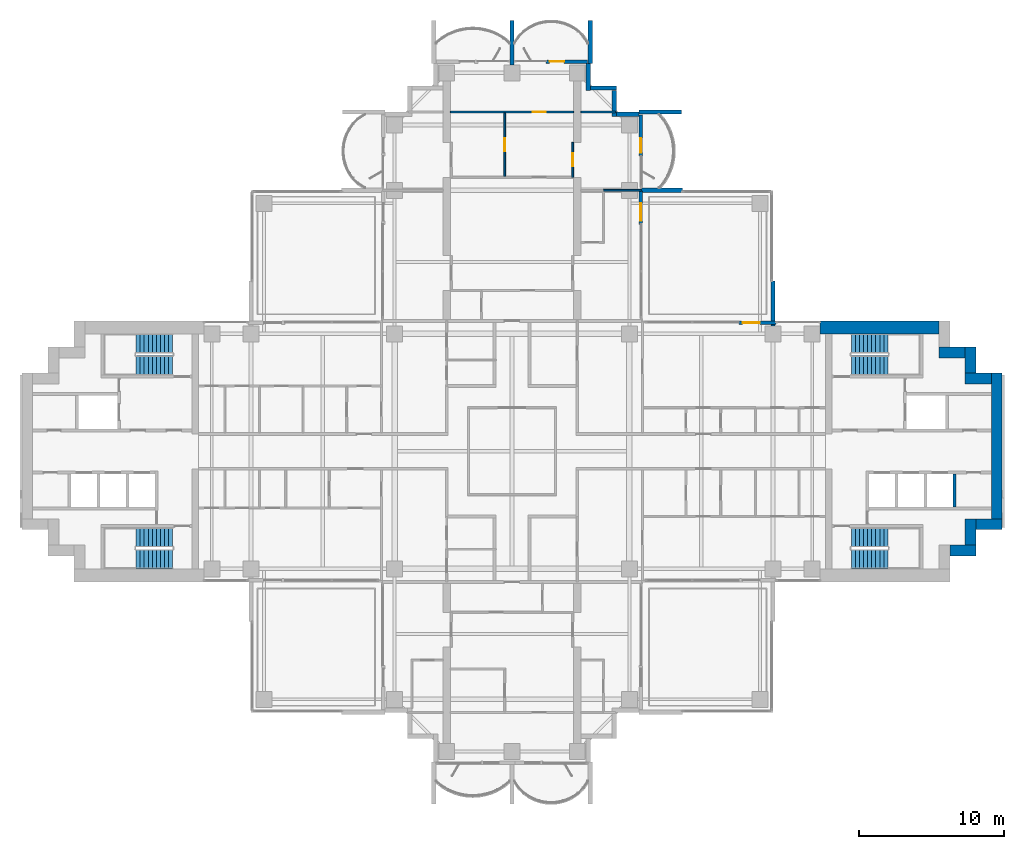
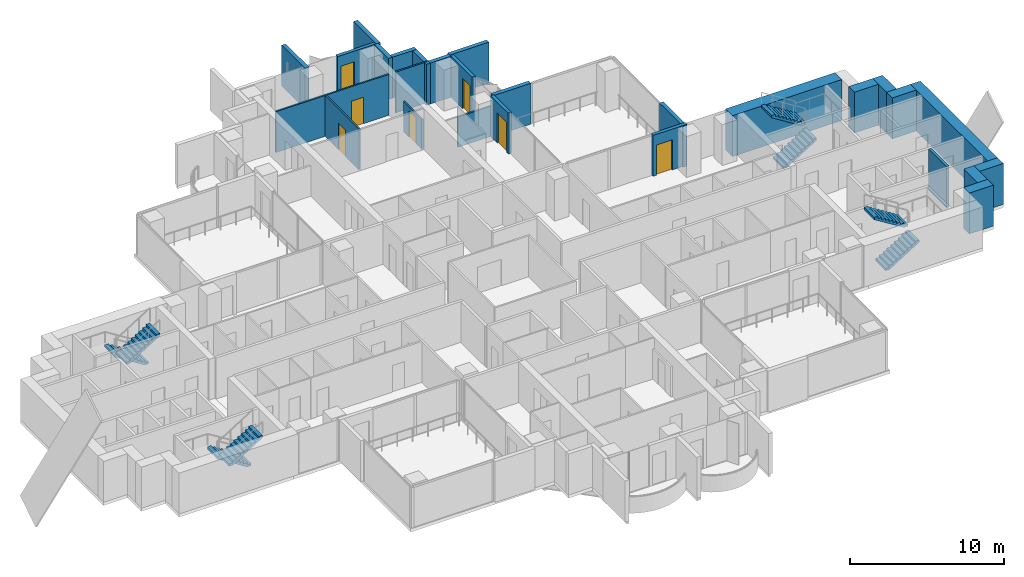
# One storey, part 14 of 18: 27 walls, 8 stair flights, 7 doors, 7 openings, 4 elements without a shape of their own.
"""IFC4 building model written with IfcOpenShell, lengths in metres."""

from ifc_helpers import new_model, si_unit, direction, frame, frame_2d, origin, place, context, subcontext, project, spatial, polyline, rectangle, outline, extrude, material, layer, layer_set, type_object, element, fill, aggregate, save


model = new_model("IFC4")

# Units and contexts
model_context = context("Model", 3, precision=1e-05, world=origin(), true_north=direction((0.0, 1.0)))
body_context = subcontext(model_context, "Body", "Model", "MODEL_VIEW")
ifc_project = project(units=[si_unit("LENGTHUNIT", "METRE"), si_unit("AREAUNIT", "SQUARE_METRE"), si_unit("VOLUMEUNIT", "CUBIC_METRE"), si_unit("PLANEANGLEUNIT", "RADIAN"), si_unit("MASSUNIT", "GRAM", prefix="KILO")], contexts=[model_context])

# Site, building, storey
site_placement = place(None, origin())
site = spatial("IfcSite", under=ifc_project, at=site_placement, CompositionType="ELEMENT")
building_placement = place(site_placement, origin())
building = spatial("IfcBuilding", under=site, at=building_placement, Name="Perihelion Cross Residences", CompositionType="ELEMENT")
storey_placement = place(building_placement, frame((0.0, 0.0, 133.89990234375)))
storey = spatial("IfcBuildingStorey", under=building, at=storey_placement, Name="L32", CompositionType="ELEMENT", Elevation=133.89990234375)

# Wall, opening, door
ifc_material_1 = material(Name="Concrete C30/37, bronze-clad", Category="concrete")
ifc_layer_1 = layer(ifc_material_1, 0.25)
ifc_layer_set_1 = layer_set([ifc_layer_1], Name="Bronze-clad pier wall 250")
wall_type_1 = type_object("IfcWallType", Name="Bronze-clad pier wall 250", PredefinedType="SOLIDWALL", material=ifc_layer_set_1)
wall_1_placement = place(storey_placement, frame((18.199951171875, 8.875, 0.0), z_axis=(0.0, 0.0, 1.0), x_axis=(-1.0, 0.0, 0.0)))
wall_1 = element("IfcWall", 1, at=wall_1_placement, inside=storey, type_object=wall_type_1, Name="Wall FW1 L32 east side north bay 2 pier", PredefinedType="SOLIDWALL", context=body_context, shape_type="SweptSolid", body=[
    extrude(rectangle(XDim=2.550048828125, YDim=0.25, at=frame_2d((1.27490234375, 0.0))), origin(), (0.0, 0.0, 1.0), 3.25),
])
opening_1_placement = place(wall_1_placement, frame((1.10009765625, 0.0, 0.0)))
opening_1 = element("IfcOpeningElement", 2, at=opening_1_placement, cuts=wall_1, Name="Opening L32.E01", PredefinedType="OPENING", context=body_context, shape_type="SweptSolid", body=[
    extrude(rectangle(XDim=1.199951171875, YDim=2.39990234375, at=frame_2d((0.60009765625, 1.199951171875))), frame((0.0, 0.135009765625, 0.0), z_axis=(0.0, -1.0, 0.0), x_axis=(1.0, 0.0, 0.0)), (0.0, 0.0, 1.0), 0.27001953125),
])
ifc_material_2 = material(Name="Bronze anodised aluminium, glazed", Category="aluminium")
door_type_1 = type_object("IfcDoorType", Name="Balcony door 1200 x 2400", OperationType="NOTDEFINED", PredefinedType="DOOR", material=ifc_material_2)
door_1_placement = place(opening_1_placement, origin())
door_1 = element("IfcDoor", 3, at=door_1_placement, inside=storey, type_object=door_type_1, Name="Door L32.E01 east side north bay 2", OperationType="SINGLE_SWING_RIGHT", OverallHeight=2.39990234375, OverallWidth=1.199951171875, PredefinedType="DOOR", context=body_context, shape_type="SweptSolid", body=[
    extrude(rectangle(XDim=1.199951171875, YDim=2.39990234375, at=frame_2d((0.60009765625, 1.199951171875))), frame((0.0, 0.02490234375, 0.0), z_axis=(0.0, -1.0, 0.0), x_axis=(1.0, 0.0, 0.0)), (0.0, 0.0, 1.0), 0.050048828125),
])
fill(opening_1, door_1)

wall_2_placement = place(storey_placement, frame((8.875, 15.64990234375, 0.0), z_axis=(0.0, 0.0, 1.0), x_axis=(0.0, 1.0, 0.0)))
wall_2 = element("IfcWall", 4, at=wall_2_placement, inside=storey, type_object=wall_type_1, Name="Wall FW1 L32 north side east bay 1 pier", PredefinedType="SOLIDWALL", context=body_context, shape_type="SweptSolid", body=[
    extrude(rectangle(XDim=2.2900390625, YDim=0.25, at=frame_2d((1.14501953125, 0.0))), origin(), (0.0, 0.0, 1.0), 3.25),
])
opening_2_placement = place(wall_2_placement, frame((0.25, 0.0, 0.0)))
opening_2 = element("IfcOpeningElement", 5, at=opening_2_placement, cuts=wall_2, Name="Opening L32.E02", PredefinedType="OPENING", context=body_context, shape_type="SweptSolid", body=[
    extrude(rectangle(XDim=1.199951171875, YDim=2.39990234375, at=frame_2d((0.60009765625, 1.199951171875))), frame((0.0, 0.135009765625, 0.0), z_axis=(0.0, -1.0, 0.0), x_axis=(1.0, 0.0, 0.0)), (0.0, 0.0, 1.0), 0.27001953125),
])
door_2_placement = place(opening_2_placement, origin())
door_2 = element("IfcDoor", 6, at=door_2_placement, inside=storey, type_object=door_type_1, Name="Door L32.E02 north side east bay 1", OperationType="SINGLE_SWING_LEFT", OverallHeight=2.39990234375, OverallWidth=1.199951171875, PredefinedType="DOOR", context=body_context, shape_type="SweptSolid", body=[
    extrude(rectangle(XDim=1.199951171875, YDim=2.39990234375, at=frame_2d((0.60009765625, 1.199951171875))), frame((0.0, 0.02490234375, 0.0), z_axis=(0.0, -1.0, 0.0), x_axis=(1.0, 0.0, 0.0)), (0.0, 0.0, 1.0), 0.050048828125),
])
fill(opening_2, door_2)

wall_3_placement = place(storey_placement, frame((8.875, 20.35009765625, 0.0), z_axis=(0.0, 0.0, 1.0), x_axis=(0.0, 1.0, 0.0)))
wall_3 = element("IfcWall", 7, at=wall_3_placement, inside=storey, type_object=wall_type_1, Name="Wall FW1 L32 north side east bay 2 pier", PredefinedType="SOLIDWALL", context=body_context, shape_type="SweptSolid", body=[
    extrude(rectangle(XDim=2.849853515625, YDim=0.25, at=frame_2d((1.4248046875, 0.0))), origin(), (0.0, 0.0, 1.0), 3.25),
])
opening_3_placement = place(wall_3_placement, frame((0.25, 0.0, 0.0)))
opening_3 = element("IfcOpeningElement", 8, at=opening_3_placement, cuts=wall_3, Name="Opening L32.E03", PredefinedType="OPENING", context=body_context, shape_type="SweptSolid", body=[
    extrude(rectangle(XDim=1.0, YDim=2.39990234375, at=frame_2d((0.5, 1.199951171875))), frame((0.0, 0.135009765625, 0.0), z_axis=(0.0, -1.0, 0.0), x_axis=(1.0, 0.0, 0.0)), (0.0, 0.0, 1.0), 0.27001953125),
])
ifc_material_3 = material(Name="Bronze anodised aluminium, glazed", Category="aluminium")
door_type_2 = type_object("IfcDoorType", Name="Balcony door 1000 x 2400", OperationType="NOTDEFINED", PredefinedType="DOOR", material=ifc_material_3)
door_3_placement = place(opening_3_placement, origin())
door_3 = element("IfcDoor", 9, at=door_3_placement, inside=storey, type_object=door_type_2, Name="Door L32.E03 north side east bay 2", OperationType="SINGLE_SWING_RIGHT", OverallHeight=2.39990234375, OverallWidth=1.0, PredefinedType="DOOR", context=body_context, shape_type="SweptSolid", body=[
    extrude(rectangle(XDim=1.0, YDim=2.39990234375, at=frame_2d((0.5, 1.199951171875))), frame((0.0, 0.02490234375, 0.0), z_axis=(0.0, -1.0, 0.0), x_axis=(1.0, 0.0, 0.0)), (0.0, 0.0, 1.0), 0.050048828125),
])
fill(opening_3, door_3)

wall_4_placement = place(storey_placement, frame((5.199951171875, 26.875, 0.0), z_axis=(0.0, 0.0, 1.0), x_axis=(-1.0, 0.0, 0.0)))
wall_4 = element("IfcWall", 10, at=wall_4_placement, inside=storey, type_object=wall_type_1, Name="Wall FW1 L32 north tip north bay 1 pier", PredefinedType="SOLIDWALL", context=body_context, shape_type="SweptSolid", body=[
    extrude(rectangle(XDim=2.849853515625, YDim=0.25, at=frame_2d((1.4248046875, 0.0))), origin(), (0.0, 0.0, 1.0), 3.25),
])
opening_4_placement = place(wall_4_placement, frame((1.60009765625, 0.0, 0.0)))
opening_4 = element("IfcOpeningElement", 11, at=opening_4_placement, cuts=wall_4, Name="Opening L32.E04", PredefinedType="OPENING", context=body_context, shape_type="SweptSolid", body=[
    extrude(rectangle(XDim=1.0, YDim=2.39990234375, at=frame_2d((0.5, 1.199951171875))), frame((0.0, 0.135009765625, 0.0), z_axis=(0.0, -1.0, 0.0), x_axis=(1.0, 0.0, 0.0)), (0.0, 0.0, 1.0), 0.27001953125),
])
door_4_placement = place(opening_4_placement, origin())
door_4 = element("IfcDoor", 12, at=door_4_placement, inside=storey, type_object=door_type_2, Name="Door L32.E04 north tip north bay 1", OperationType="SINGLE_SWING_LEFT", OverallHeight=2.39990234375, OverallWidth=1.0, PredefinedType="DOOR", context=body_context, shape_type="SweptSolid", body=[
    extrude(rectangle(XDim=1.0, YDim=2.39990234375, at=frame_2d((0.5, 1.199951171875))), frame((0.0, 0.02490234375, 0.0), z_axis=(0.0, -1.0, 0.0), x_axis=(1.0, 0.0, 0.0)), (0.0, 0.0, 1.0), 0.050048828125),
])
fill(opening_4, door_4)

# Walls
ifc_material_4 = material(Name="Concrete C30/37, bronze-clad", Category="concrete")
ifc_layer_2 = layer(ifc_material_4, 0.300048828125)
ifc_layer_set_2 = layer_set([ifc_layer_2], Name="Bronze-clad serration wall 300")
wall_type_2 = type_object("IfcWallType", Name="Bronze-clad serration wall 300", PredefinedType="SOLIDWALL", material=ifc_layer_set_2)
wall_5_placement = place(storey_placement, frame((8.75, 23.25, 0.0), z_axis=(0.0, 0.0, 1.0), x_axis=(-1.0, 0.0, 0.0)))
element("IfcWall", 13, at=wall_5_placement, inside=storey, type_object=wall_type_2, Name="Wall SR1 L32 north corner north-east 1", PredefinedType="SOLIDWALL", context=body_context, shape_type="SweptSolid", body=[
    extrude(rectangle(XDim=1.550048828125, YDim=0.300048828125, at=frame_2d((0.77490234375, 0.0))), origin(), (0.0, 0.0, 1.0), 3.25),
])
wall_6_placement = place(storey_placement, frame((7.050048828125, 23.10009765625, 0.0), z_axis=(0.0, 0.0, 1.0), x_axis=(0.0, 1.0, 0.0)))
element("IfcWall", 14, at=wall_6_placement, inside=storey, type_object=wall_type_2, Name="Wall SR1 L32 north corner north-east 2", PredefinedType="SOLIDWALL", context=body_context, shape_type="SweptSolid", body=[
    extrude(rectangle(XDim=1.7998046875, YDim=0.300048828125, at=frame_2d((0.89990234375, 0.0))), origin(), (0.0, 0.0, 1.0), 3.25),
])
wall_7_placement = place(storey_placement, frame((7.199951171875, 25.050048828125, 0.0), z_axis=(0.0, 0.0, 1.0), x_axis=(-1.0, 0.0, 0.0)))
element("IfcWall", 15, at=wall_7_placement, inside=storey, type_object=wall_type_2, Name="Wall SR1 L32 north corner north-east 3", PredefinedType="SOLIDWALL", context=body_context, shape_type="SweptSolid", body=[
    extrude(rectangle(XDim=1.800048828125, YDim=0.300048828125, at=frame_2d((0.89990234375, 0.0))), origin(), (0.0, 0.0, 1.0), 3.25),
])
wall_8_placement = place(storey_placement, frame((5.25, 24.89990234375, 0.0), z_axis=(0.0, 0.0, 1.0), x_axis=(0.0, 1.0, 0.0)))
element("IfcWall", 16, at=wall_8_placement, inside=storey, type_object=wall_type_2, Name="Wall SR1 L32 north corner north-east 4", PredefinedType="SOLIDWALL", context=body_context, shape_type="SweptSolid", body=[
    extrude(rectangle(XDim=1.85009765625, YDim=0.300048828125, at=frame_2d((0.925048828125, 0.0))), origin(), (0.0, 0.0, 1.0), 3.25),
])
ifc_material_5 = material(Name="Concrete C60/75", Category="concrete")
ifc_layer_3 = layer(ifc_material_5, 0.75)
ifc_layer_set_3 = layer_set([ifc_layer_3], Name="Core wall, outer 750")
wall_type_3 = type_object("IfcWallType", Name="Core wall, outer 750", PredefinedType="SHEAR", material=ifc_layer_set_3)
for number, where, z_axis, x_axis, name in (
    (17, (30.199951171875, -6.824951171875, 0.0), (0.0, 0.0, 1.0), (1.0, 0.0, 0.0), "East core core wall, outer"),
    (18, (31.625, -6.449951171875, 0.0), (0.0, 0.0, 1.0), (0.0, 1.0, 0.0), "East core core wall, outer"),
    (19, (32.0, -5.02490234375, 0.0), (0.0, 0.0, 1.0), (1.0, 0.0, 0.0), "East core core wall, outer"),
):
    element("IfcWall", number, at=place(storey_placement, frame(where, z_axis=z_axis, x_axis=x_axis)), inside=storey, type_object=wall_type_3, Name=name, PredefinedType="SHEAR", context=body_context, shape_type="SweptSolid", body=[
        extrude(rectangle(XDim=1.800048828125, YDim=0.75, at=frame_2d((0.89990234375, 0.0))), origin(), (0.0, 0.0, 1.0), 3.25),
    ])
wall_9_placement = place(storey_placement, frame((33.425048828125, -4.64990234375, 0.0), z_axis=(0.0, 0.0, 1.0), x_axis=(0.0, 1.0, 0.0)))
element("IfcWall", 20, at=wall_9_placement, inside=storey, type_object=wall_type_3, Name="East core core wall, outer", PredefinedType="SHEAR", context=body_context, shape_type="SweptSolid", body=[
    extrude(rectangle(XDim=10.0498046875, YDim=0.75, at=frame_2d((5.02490234375, 0.0))), origin(), (0.0, 0.0, 1.0), 3.25),
])
for number, where, z_axis, x_axis, name in (
    (21, (31.25, 5.02490234375, 0.0), (0.0, 0.0, 1.0), (1.0, 0.0, 0.0), "East core core wall, outer"),
    (22, (31.625, 5.39990234375, 0.0), (0.0, 0.0, 1.0), (0.0, 1.0, 0.0), "East core core wall, outer"),
    (23, (29.449951171875, 6.824951171875, 0.0), (0.0, 0.0, 1.0), (1.0, 0.0, 0.0), "East core core wall, outer"),
):
    element("IfcWall", number, at=place(storey_placement, frame(where, z_axis=z_axis, x_axis=x_axis)), inside=storey, type_object=wall_type_3, Name=name, PredefinedType="SHEAR", context=body_context, shape_type="SweptSolid", body=[
        extrude(rectangle(XDim=1.800048828125, YDim=0.75, at=frame_2d((0.89990234375, 0.0))), origin(), (0.0, 0.0, 1.0), 3.25),
    ])
ifc_material_6 = material(Name="Concrete C60/75", Category="concrete")
ifc_layer_4 = layer(ifc_material_6, 0.89990234375)
ifc_layer_set_4 = layer_set([ifc_layer_4], Name="Core wall, outer 900")
wall_type_4 = type_object("IfcWallType", Name="Core wall, outer 900", PredefinedType="SHEAR", material=ifc_layer_set_4)
wall_10_placement = place(storey_placement, frame((21.25, 8.550048828125, 0.0), z_axis=(0.0, 0.0, 1.0), x_axis=(1.0, 0.0, 0.0)))
element("IfcWall", 24, at=wall_10_placement, inside=storey, type_object=wall_type_4, Name="East core core wall, outer", PredefinedType="SHEAR", context=body_context, shape_type="SweptSolid", body=[
    extrude(rectangle(XDim=8.199951171875, YDim=0.89990234375, at=frame_2d((4.10009765625, 0.0))), origin(), (0.0, 0.0, 1.0), 3.25),
])

# Wall, opening, door
ifc_material_7 = material(Name="Plasterboard partition")
ifc_layer_5 = layer(ifc_material_7, 0.1201171875)
ifc_layer_set_5 = layer_set([ifc_layer_5], Name="Infill panel 120")
wall_type_5 = type_object("IfcWallType", Name="Infill panel 120", PredefinedType="PARTITIONING", material=ifc_layer_set_5)
wall_11_placement = place(storey_placement, frame((4.18994140625, 18.89990234375, 0.0), z_axis=(0.0, 0.0, 1.0), x_axis=(0.0, 1.0, 0.0)))
wall_11 = element("IfcWall", 25, at=wall_11_placement, inside=storey, type_object=wall_type_5, Name="Partition L32 WI02", PredefinedType="PARTITIONING", context=body_context, shape_type="SweptSolid", body=[
    extrude(rectangle(XDim=2.400146484375, YDim=0.1201171875, at=frame_2d((1.2001953125, 0.0))), origin(), (0.0, 0.0, 1.0), 2.400146484375),
])
opening_5_placement = place(wall_11_placement, frame((0.75, 0.0, 0.0)))
opening_5 = element("IfcOpeningElement", 26, at=opening_5_placement, cuts=wall_11, Name="Opening L32.A51", PredefinedType="OPENING", context=body_context, shape_type="SweptSolid", body=[
    extrude(rectangle(XDim=0.89990234375, YDim=2.10009765625, at=frame_2d((0.449951171875, 1.050048828125))), frame((0.0, 0.070068359375, 0.0), z_axis=(0.0, -1.0, 0.0), x_axis=(1.0, 0.0, 0.0)), (0.0, 0.0, 1.0), 0.14013671875),
])
ifc_material_8 = material(Name="Timber door leaf", Category="wood")
door_type_3 = type_object("IfcDoorType", Name="Interior room door 900 x 2100", OperationType="SINGLE_SWING_LEFT", PredefinedType="DOOR", material=ifc_material_8)
door_5_placement = place(opening_5_placement, origin())
door_5 = element("IfcDoor", 27, at=door_5_placement, inside=storey, type_object=door_type_3, Name="Door L32.A51", OperationType="SINGLE_SWING_LEFT", OverallHeight=2.10009765625, OverallWidth=0.89990234375, PredefinedType="DOOR", context=body_context, shape_type="SweptSolid", body=[
    extrude(rectangle(XDim=0.89990234375, YDim=2.10009765625, at=frame_2d((0.449951171875, 1.050048828125))), frame((0.0, 0.02490234375, 0.0), z_axis=(0.0, -1.0, 0.0), x_axis=(1.0, 0.0, 0.0)), (0.0, 0.0, 1.0), 0.050048828125),
])
fill(opening_5, door_5)

ifc_material_9 = material(Name="Plasterboard partition")
ifc_layer_6 = layer(ifc_material_9, 0.1201171875)
ifc_layer_set_6 = layer_set([ifc_layer_6], Name="Partition wall 120")
wall_type_6 = type_object("IfcWallType", Name="Partition wall 120", PredefinedType="PARTITIONING", material=ifc_layer_set_6)
wall_12_placement = place(storey_placement, frame((-0.5, 18.9599609375, 0.0), z_axis=(0.0, 0.0, 1.0), x_axis=(0.0, 1.0, 0.0)))
wall_12 = element("IfcWall", 28, at=wall_12_placement, inside=storey, type_object=wall_type_6, Name="Partition L32 W068", PredefinedType="PARTITIONING", context=body_context, shape_type="SweptSolid", body=[
    extrude(rectangle(XDim=4.380126953125, YDim=0.1201171875, at=frame_2d((2.18994140625, 0.0))), origin(), (0.0, 0.0, 1.0), 3.25),
])
opening_6_placement = place(wall_12_placement, frame((1.739990234375, 0.0, 0.0)))
opening_6 = element("IfcOpeningElement", 29, at=opening_6_placement, cuts=wall_12, Name="Opening L32.A36", PredefinedType="OPENING", context=body_context, shape_type="SweptSolid", body=[
    extrude(rectangle(XDim=0.89990234375, YDim=2.10009765625, at=frame_2d((0.449951171875, 1.050048828125))), frame((0.0, 0.070068359375, 0.0), z_axis=(0.0, -1.0, 0.0), x_axis=(1.0, 0.0, 0.0)), (0.0, 0.0, 1.0), 0.14013671875),
])
door_6_placement = place(opening_6_placement, origin())
door_6 = element("IfcDoor", 30, at=door_6_placement, inside=storey, type_object=door_type_3, Name="Door L32.A36", OperationType="SINGLE_SWING_RIGHT", OverallHeight=2.10009765625, OverallWidth=0.89990234375, PredefinedType="DOOR", context=body_context, shape_type="SweptSolid", body=[
    extrude(rectangle(XDim=0.89990234375, YDim=2.10009765625, at=frame_2d((0.449951171875, 1.050048828125))), frame((0.0, 0.02490234375, 0.0), z_axis=(0.0, -1.0, 0.0), x_axis=(1.0, 0.0, 0.0)), (0.0, 0.0, 1.0), 0.050048828125),
])
fill(opening_6, door_6)

wall_13_placement = place(storey_placement, frame((-4.25, 23.39990234375, 0.0), z_axis=(0.0, 0.0, 1.0), x_axis=(1.0, 0.0, 0.0)))
wall_13 = element("IfcWall", 31, at=wall_13_placement, inside=storey, type_object=wall_type_6, Name="Partition L32 W069", PredefinedType="PARTITIONING", context=body_context, shape_type="SweptSolid", body=[
    extrude(rectangle(XDim=8.5, YDim=0.1201171875, at=frame_2d((4.25, 0.0))), origin(), (0.0, 0.0, 1.0), 3.25),
])
opening_7_placement = place(wall_13_placement, frame((5.675048828125, 0.0, 0.0)))
opening_7 = element("IfcOpeningElement", 32, at=opening_7_placement, cuts=wall_13, Name="Opening L32.A37", PredefinedType="OPENING", context=body_context, shape_type="SweptSolid", body=[
    extrude(rectangle(XDim=0.89990234375, YDim=2.10009765625, at=frame_2d((0.449951171875, 1.050048828125))), frame((0.0, 0.070068359375, 0.0), z_axis=(0.0, -1.0, 0.0), x_axis=(1.0, 0.0, 0.0)), (0.0, 0.0, 1.0), 0.14013671875),
])
door_7_placement = place(opening_7_placement, origin())
door_7 = element("IfcDoor", 33, at=door_7_placement, inside=storey, type_object=door_type_3, Name="Door L32.A37", OperationType="SINGLE_SWING_LEFT", OverallHeight=2.10009765625, OverallWidth=0.89990234375, PredefinedType="DOOR", context=body_context, shape_type="SweptSolid", body=[
    extrude(rectangle(XDim=0.89990234375, YDim=2.10009765625, at=frame_2d((0.449951171875, 1.050048828125))), frame((0.0, 0.02490234375, 0.0), z_axis=(0.0, -1.0, 0.0), x_axis=(1.0, 0.0, 0.0)), (0.0, 0.0, 1.0), 0.050048828125),
])
fill(opening_7, door_7)

# Walls
wall_14_placement = place(storey_placement, frame((6.300048828125, 18.0, 0.0), z_axis=(0.0, 0.0, 1.0), x_axis=(1.0, 0.0, 0.0)))
element("IfcWall", 34, at=wall_14_placement, inside=storey, type_object=wall_type_6, Name="Partition L32 W072", PredefinedType="PARTITIONING", context=body_context, shape_type="SweptSolid", body=[
    extrude(rectangle(XDim=2.619873046875, YDim=0.1201171875, at=frame_2d((1.31005859375, 0.0))), origin(), (0.0, 0.0, 1.0), 2.4140625),
])
wall_15_placement = place(storey_placement, frame((4.75, 23.39990234375, 0.0), z_axis=(0.0, 0.0, 1.0), x_axis=(1.0, 0.0, 0.0)))
element("IfcWall", 35, at=wall_15_placement, inside=storey, type_object=wall_type_6, Name="Partition L32 W074", PredefinedType="PARTITIONING", context=body_context, shape_type="SweptSolid", body=[
    extrude(rectangle(XDim=2.3701171875, YDim=0.1201171875, at=frame_2d((1.18505859375, 0.0))), origin(), (0.0, 0.0, 1.0), 3.25),
])
ifc_material_10 = material(Name="Precast concrete C50/60", Category="concrete")
ifc_layer_7 = layer(ifc_material_10, 0.300048828125)
ifc_layer_set_7 = layer_set([ifc_layer_7], Name="Precast concrete C50/60 blade wall 300")
wall_type_7 = type_object("IfcWallType", Name="Precast concrete C50/60 blade wall 300", PredefinedType="SOLIDWALL", material=ifc_layer_set_7)
wall_16_placement = place(storey_placement, frame((0.0, 26.64990234375, 0.0), z_axis=(0.0, 0.0, 1.0), x_axis=(0.0, 1.0, 0.0)))
element("IfcWall", 36, at=wall_16_placement, inside=storey, type_object=wall_type_7, Name="Wall BL1 L32 no. 9", PredefinedType="SOLIDWALL", context=body_context, shape_type="SweptSolid", body=[
    extrude(rectangle(XDim=3.050048828125, YDim=0.300048828125, at=frame_2d((1.52490234375, 0.0))), origin(), (0.0, 0.0, 1.0), 3.25),
])
wall_17_placement = place(storey_placement, frame((5.39990234375, 26.75, 0.0), z_axis=(0.0, 0.0, 1.0), x_axis=(0.0, 1.0, 0.0)))
element("IfcWall", 37, at=wall_17_placement, inside=storey, type_object=wall_type_7, Name="Wall BL1 L32 no. 13", PredefinedType="SOLIDWALL", context=body_context, shape_type="SweptSolid", body=[
    extrude(rectangle(XDim=2.949951171875, YDim=0.300048828125, at=frame_2d((1.47509765625, 0.0))), origin(), (0.0, 0.0, 1.0), 3.25),
])
wall_18_placement = place(storey_placement, frame((8.919921875, 18.0, 0.0), z_axis=(0.0, 0.0, 1.0), x_axis=(1.0, 0.0, 0.0)))
element("IfcWall", 38, at=wall_18_placement, inside=storey, type_object=wall_type_7, Name="Wall BL1 L32 no. 15", PredefinedType="SOLIDWALL", context=body_context, shape_type="SweptSolid", body=[
    extrude(rectangle(XDim=2.820068359375, YDim=0.300048828125, at=frame_2d((1.41015625, 0.0))), origin(), (0.0, 0.0, 1.0), 3.25),
])
wall_19_placement = place(storey_placement, frame((8.75, 23.39990234375, 0.0), z_axis=(0.0, 0.0, 1.0), x_axis=(1.0, 0.0, 0.0)))
element("IfcWall", 39, at=wall_19_placement, inside=storey, type_object=wall_type_7, Name="Wall BL1 L32 no. 16", PredefinedType="SOLIDWALL", context=body_context, shape_type="SweptSolid", body=[
    extrude(rectangle(XDim=2.949951171875, YDim=0.300048828125, at=frame_2d((1.47509765625, 0.0))), origin(), (0.0, 0.0, 1.0), 3.25),
])
wall_20_placement = place(storey_placement, frame((18.0, 8.64990234375, 0.0), z_axis=(0.0, 0.0, 1.0), x_axis=(0.0, 1.0, 0.0)))
element("IfcWall", 40, at=wall_20_placement, inside=storey, type_object=wall_type_7, Name="Wall BL1 L32 no. 11", PredefinedType="SOLIDWALL", context=body_context, shape_type="SweptSolid", body=[
    extrude(rectangle(XDim=3.090087890625, YDim=0.300048828125, at=frame_2d((1.544921875, 0.0))), origin(), (0.0, 0.0, 1.0), 3.25),
])
ifc_material_11 = material(Name="Concrete C50/60", Category="concrete")
ifc_layer_8 = layer(ifc_material_11, 0.199951171875)
ifc_layer_set_8 = layer_set([ifc_layer_8], Name="Shaft wall 200")
wall_type_8 = type_object("IfcWallType", Name="Shaft wall 200", PredefinedType="SOLIDWALL", material=ifc_layer_set_8)
wall_21_placement = place(storey_placement, frame((30.5, -3.85009765625, 0.0), z_axis=(0.0, 0.0, 1.0), x_axis=(0.0, 1.0, 0.0)))
element("IfcWall", 41, at=wall_21_placement, inside=storey, type_object=wall_type_8, Name="East core shaft wall", PredefinedType="SOLIDWALL", context=body_context, shape_type="SweptSolid", body=[
    extrude(rectangle(XDim=2.300048828125, YDim=0.199951171875, at=frame_2d((1.14990234375, 0.0))), origin(), (0.0, 0.0, 1.0), 3.25),
])

# Stair, stair flights
ifc_material_12 = material(Name="Concrete C40/50", Category="concrete")
stair_type = type_object("IfcStairType", Name="Exit stair, half-turn", PredefinedType="HALF_TURN_STAIR", material=ifc_material_12)
stair_1_placement = place(storey_placement, origin())
stair_1 = element("IfcStair", 42, at=stair_1_placement, inside=storey, type_object=stair_type, Name="L32 East core exit stair 1", PredefinedType="HALF_TURN_STAIR")
ifc_material_13 = material(Name="Concrete C40/50", Category="concrete")
stair_flight_type = type_object("IfcStairFlightType", Name="Exit stair flight", PredefinedType="STRAIGHT", material=ifc_material_13)
stair_flight_1_placement = place(storey_placement, frame((23.39990234375, 5.925048828125, 0.0), z_axis=(0.0, 0.0, 1.0), x_axis=(1.0, 0.0, 0.0)))
stair_flight_1 = element("IfcStairFlight", 43, at=stair_flight_1_placement, type_object=stair_flight_type, Name="ST-E1 flight 1", NumberOfRisers=10, NumberOfTreads=9, PredefinedType="STRAIGHT", RiserHeight=0.175, TreadLength=0.28, context=body_context, shape_type="SweptSolid", body=[
    extrude(outline(polyline([(0.0, 0.0), (0.0, 0.175048828125), (0.280029296875, 0.175048828125), (0.280029296875, 0.35009765625), (0.56005859375, 0.35009765625), (0.56005859375, 0.52490234375), (0.840087890625, 0.52490234375), (0.840087890625, 0.699951171875), (1.1201171875, 0.699951171875), (1.1201171875, 0.875), (1.39990234375, 0.875), (1.39990234375, 1.050048828125), (1.679931640625, 1.050048828125), (1.679931640625, 1.22509765625), (1.9599609375, 1.22509765625), (1.9599609375, 1.39990234375), (2.239990234375, 1.39990234375), (2.239990234375, 1.574951171875), (2.52001953125, 1.574951171875), (2.52001953125, 1.75), (2.52001953125, 1.398193359375), (0.28271484375, 0.0), (0.0, 0.0)])), frame((0.0, 0.675048828125, 0.0), z_axis=(0.0, -1.0, 0.0), x_axis=(1.0, 0.0, 0.0)), (0.0, 0.0, 1.0), 1.35009765625),
])
stair_flight_2_placement = place(storey_placement, frame((25.919921875, 7.425048828125, 1.75), z_axis=(0.0, 0.0, 1.0), x_axis=(-1.0, 0.0, 0.0)))
stair_flight_2 = element("IfcStairFlight", 44, at=stair_flight_2_placement, type_object=stair_flight_type, Name="ST-E1 flight 2", NumberOfRisers=10, NumberOfTreads=9, PredefinedType="STRAIGHT", RiserHeight=0.175, TreadLength=0.28, context=body_context, shape_type="SweptSolid", body=[
    extrude(outline(polyline([(0.0, 0.0), (0.0, 0.175048828125), (0.280029296875, 0.175048828125), (0.280029296875, 0.35009765625), (0.56005859375, 0.35009765625), (0.56005859375, 0.52490234375), (0.840087890625, 0.52490234375), (0.840087890625, 0.699951171875), (1.1201171875, 0.699951171875), (1.1201171875, 0.875), (1.39990234375, 0.875), (1.39990234375, 1.050048828125), (1.679931640625, 1.050048828125), (1.679931640625, 1.22509765625), (1.9599609375, 1.22509765625), (1.9599609375, 1.39990234375), (2.239990234375, 1.39990234375), (2.239990234375, 1.574951171875), (2.52001953125, 1.574951171875), (2.52001953125, 1.75), (2.52001953125, 1.398193359375), (0.28271484375, 0.0), (0.0, 0.0)])), frame((0.0, 0.675048828125, 0.0), z_axis=(0.0, -1.0, 0.0), x_axis=(1.0, 0.0, 0.0)), (0.0, 0.0, 1.0), 1.35009765625),
])
aggregate(stair_1, [stair_flight_1, stair_flight_2])

stair_2_placement = place(storey_placement, origin())
stair_2 = element("IfcStair", 45, at=stair_2_placement, inside=storey, type_object=stair_type, Name="L32 East core exit stair 2", PredefinedType="HALF_TURN_STAIR")
stair_flight_3_placement = place(storey_placement, frame((23.39990234375, -7.425048828125, 0.0), z_axis=(0.0, 0.0, 1.0), x_axis=(1.0, 0.0, 0.0)))
stair_flight_3 = element("IfcStairFlight", 46, at=stair_flight_3_placement, type_object=stair_flight_type, Name="ST-E2 flight 1", NumberOfRisers=10, NumberOfTreads=9, PredefinedType="STRAIGHT", RiserHeight=0.175, TreadLength=0.28, context=body_context, shape_type="SweptSolid", body=[
    extrude(outline(polyline([(0.0, 0.0), (0.0, 0.175048828125), (0.280029296875, 0.175048828125), (0.280029296875, 0.35009765625), (0.56005859375, 0.35009765625), (0.56005859375, 0.52490234375), (0.840087890625, 0.52490234375), (0.840087890625, 0.699951171875), (1.1201171875, 0.699951171875), (1.1201171875, 0.875), (1.39990234375, 0.875), (1.39990234375, 1.050048828125), (1.679931640625, 1.050048828125), (1.679931640625, 1.22509765625), (1.9599609375, 1.22509765625), (1.9599609375, 1.39990234375), (2.239990234375, 1.39990234375), (2.239990234375, 1.574951171875), (2.52001953125, 1.574951171875), (2.52001953125, 1.75), (2.52001953125, 1.398193359375), (0.28271484375, 0.0), (0.0, 0.0)])), frame((0.0, 0.675048828125, 0.0), z_axis=(0.0, -1.0, 0.0), x_axis=(1.0, 0.0, 0.0)), (0.0, 0.0, 1.0), 1.35009765625),
])
stair_flight_4_placement = place(storey_placement, frame((25.919921875, -5.925048828125, 1.75), z_axis=(0.0, 0.0, 1.0), x_axis=(-1.0, 0.0, 0.0)))
stair_flight_4 = element("IfcStairFlight", 47, at=stair_flight_4_placement, type_object=stair_flight_type, Name="ST-E2 flight 2", NumberOfRisers=10, NumberOfTreads=9, PredefinedType="STRAIGHT", RiserHeight=0.175, TreadLength=0.28, context=body_context, shape_type="SweptSolid", body=[
    extrude(outline(polyline([(0.0, 0.0), (0.0, 0.175048828125), (0.280029296875, 0.175048828125), (0.280029296875, 0.35009765625), (0.56005859375, 0.35009765625), (0.56005859375, 0.52490234375), (0.840087890625, 0.52490234375), (0.840087890625, 0.699951171875), (1.1201171875, 0.699951171875), (1.1201171875, 0.875), (1.39990234375, 0.875), (1.39990234375, 1.050048828125), (1.679931640625, 1.050048828125), (1.679931640625, 1.22509765625), (1.9599609375, 1.22509765625), (1.9599609375, 1.39990234375), (2.239990234375, 1.39990234375), (2.239990234375, 1.574951171875), (2.52001953125, 1.574951171875), (2.52001953125, 1.75), (2.52001953125, 1.398193359375), (0.28271484375, 0.0), (0.0, 0.0)])), frame((0.0, 0.675048828125, 0.0), z_axis=(0.0, -1.0, 0.0), x_axis=(1.0, 0.0, 0.0)), (0.0, 0.0, 1.0), 1.35009765625),
])
aggregate(stair_2, [stair_flight_3, stair_flight_4])

stair_3_placement = place(storey_placement, origin())
stair_3 = element("IfcStair", 48, at=stair_3_placement, inside=storey, type_object=stair_type, Name="L32 West core exit stair 1", PredefinedType="HALF_TURN_STAIR")
stair_flight_5_placement = place(storey_placement, frame((-23.39990234375, 7.425048828125, 0.0), z_axis=(0.0, 0.0, 1.0), x_axis=(-1.0, 0.0, 0.0)))
stair_flight_5 = element("IfcStairFlight", 49, at=stair_flight_5_placement, type_object=stair_flight_type, Name="ST-W1 flight 1", NumberOfRisers=10, NumberOfTreads=9, PredefinedType="STRAIGHT", RiserHeight=0.175, TreadLength=0.28, context=body_context, shape_type="SweptSolid", body=[
    extrude(outline(polyline([(0.0, 0.0), (0.0, 0.175048828125), (0.280029296875, 0.175048828125), (0.280029296875, 0.35009765625), (0.56005859375, 0.35009765625), (0.56005859375, 0.52490234375), (0.840087890625, 0.52490234375), (0.840087890625, 0.699951171875), (1.1201171875, 0.699951171875), (1.1201171875, 0.875), (1.39990234375, 0.875), (1.39990234375, 1.050048828125), (1.679931640625, 1.050048828125), (1.679931640625, 1.22509765625), (1.9599609375, 1.22509765625), (1.9599609375, 1.39990234375), (2.239990234375, 1.39990234375), (2.239990234375, 1.574951171875), (2.52001953125, 1.574951171875), (2.52001953125, 1.75), (2.52001953125, 1.398193359375), (0.28271484375, 0.0), (0.0, 0.0)])), frame((0.0, 0.675048828125, 0.0), z_axis=(0.0, -1.0, 0.0), x_axis=(1.0, 0.0, 0.0)), (0.0, 0.0, 1.0), 1.35009765625),
])
stair_flight_6_placement = place(storey_placement, frame((-25.919921875, 5.925048828125, 1.75), z_axis=(0.0, 0.0, 1.0), x_axis=(1.0, 0.0, 0.0)))
stair_flight_6 = element("IfcStairFlight", 50, at=stair_flight_6_placement, type_object=stair_flight_type, Name="ST-W1 flight 2", NumberOfRisers=10, NumberOfTreads=9, PredefinedType="STRAIGHT", RiserHeight=0.175, TreadLength=0.28, context=body_context, shape_type="SweptSolid", body=[
    extrude(outline(polyline([(0.0, 0.0), (0.0, 0.175048828125), (0.280029296875, 0.175048828125), (0.280029296875, 0.35009765625), (0.56005859375, 0.35009765625), (0.56005859375, 0.52490234375), (0.840087890625, 0.52490234375), (0.840087890625, 0.699951171875), (1.1201171875, 0.699951171875), (1.1201171875, 0.875), (1.39990234375, 0.875), (1.39990234375, 1.050048828125), (1.679931640625, 1.050048828125), (1.679931640625, 1.22509765625), (1.9599609375, 1.22509765625), (1.9599609375, 1.39990234375), (2.239990234375, 1.39990234375), (2.239990234375, 1.574951171875), (2.52001953125, 1.574951171875), (2.52001953125, 1.75), (2.52001953125, 1.398193359375), (0.28271484375, 0.0), (0.0, 0.0)])), frame((0.0, 0.675048828125, 0.0), z_axis=(0.0, -1.0, 0.0), x_axis=(1.0, 0.0, 0.0)), (0.0, 0.0, 1.0), 1.35009765625),
])
aggregate(stair_3, [stair_flight_5, stair_flight_6])

stair_4_placement = place(storey_placement, origin())
stair_4 = element("IfcStair", 51, at=stair_4_placement, inside=storey, type_object=stair_type, Name="L32 West core exit stair 2", PredefinedType="HALF_TURN_STAIR")
stair_flight_7_placement = place(storey_placement, frame((-23.39990234375, -5.925048828125, 0.0), z_axis=(0.0, 0.0, 1.0), x_axis=(-1.0, 0.0, 0.0)))
stair_flight_7 = element("IfcStairFlight", 52, at=stair_flight_7_placement, type_object=stair_flight_type, Name="ST-W2 flight 1", NumberOfRisers=10, NumberOfTreads=9, PredefinedType="STRAIGHT", RiserHeight=0.175, TreadLength=0.28, context=body_context, shape_type="SweptSolid", body=[
    extrude(outline(polyline([(0.0, 0.0), (0.0, 0.175048828125), (0.280029296875, 0.175048828125), (0.280029296875, 0.35009765625), (0.56005859375, 0.35009765625), (0.56005859375, 0.52490234375), (0.840087890625, 0.52490234375), (0.840087890625, 0.699951171875), (1.1201171875, 0.699951171875), (1.1201171875, 0.875), (1.39990234375, 0.875), (1.39990234375, 1.050048828125), (1.679931640625, 1.050048828125), (1.679931640625, 1.22509765625), (1.9599609375, 1.22509765625), (1.9599609375, 1.39990234375), (2.239990234375, 1.39990234375), (2.239990234375, 1.574951171875), (2.52001953125, 1.574951171875), (2.52001953125, 1.75), (2.52001953125, 1.398193359375), (0.28271484375, 0.0), (0.0, 0.0)])), frame((0.0, 0.675048828125, 0.0), z_axis=(0.0, -1.0, 0.0), x_axis=(1.0, 0.0, 0.0)), (0.0, 0.0, 1.0), 1.35009765625),
])
stair_flight_8_placement = place(storey_placement, frame((-25.919921875, -7.425048828125, 1.75), z_axis=(0.0, 0.0, 1.0), x_axis=(1.0, 0.0, 0.0)))
stair_flight_8 = element("IfcStairFlight", 53, at=stair_flight_8_placement, type_object=stair_flight_type, Name="ST-W2 flight 2", NumberOfRisers=10, NumberOfTreads=9, PredefinedType="STRAIGHT", RiserHeight=0.175, TreadLength=0.28, context=body_context, shape_type="SweptSolid", body=[
    extrude(outline(polyline([(0.0, 0.0), (0.0, 0.175048828125), (0.280029296875, 0.175048828125), (0.280029296875, 0.35009765625), (0.56005859375, 0.35009765625), (0.56005859375, 0.52490234375), (0.840087890625, 0.52490234375), (0.840087890625, 0.699951171875), (1.1201171875, 0.699951171875), (1.1201171875, 0.875), (1.39990234375, 0.875), (1.39990234375, 1.050048828125), (1.679931640625, 1.050048828125), (1.679931640625, 1.22509765625), (1.9599609375, 1.22509765625), (1.9599609375, 1.39990234375), (2.239990234375, 1.39990234375), (2.239990234375, 1.574951171875), (2.52001953125, 1.574951171875), (2.52001953125, 1.75), (2.52001953125, 1.398193359375), (0.28271484375, 0.0), (0.0, 0.0)])), frame((0.0, 0.675048828125, 0.0), z_axis=(0.0, -1.0, 0.0), x_axis=(1.0, 0.0, 0.0)), (0.0, 0.0, 1.0), 1.35009765625),
])
aggregate(stair_4, [stair_flight_7, stair_flight_8])

save(model, "model.ifc")
